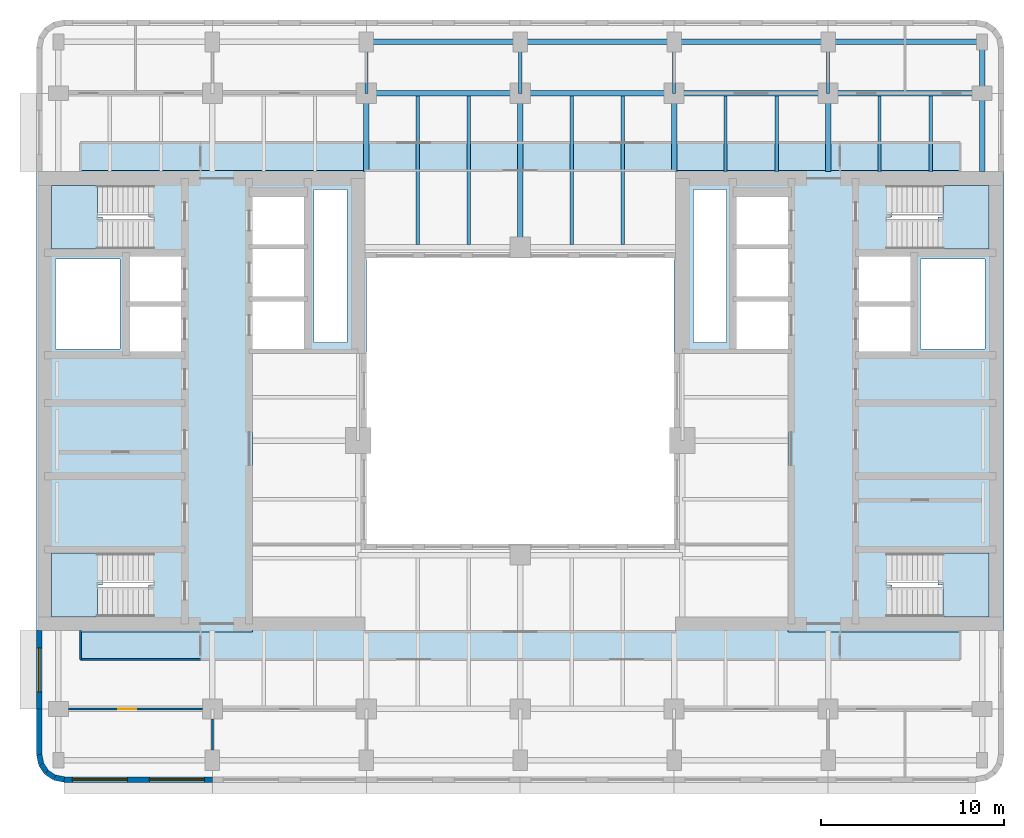
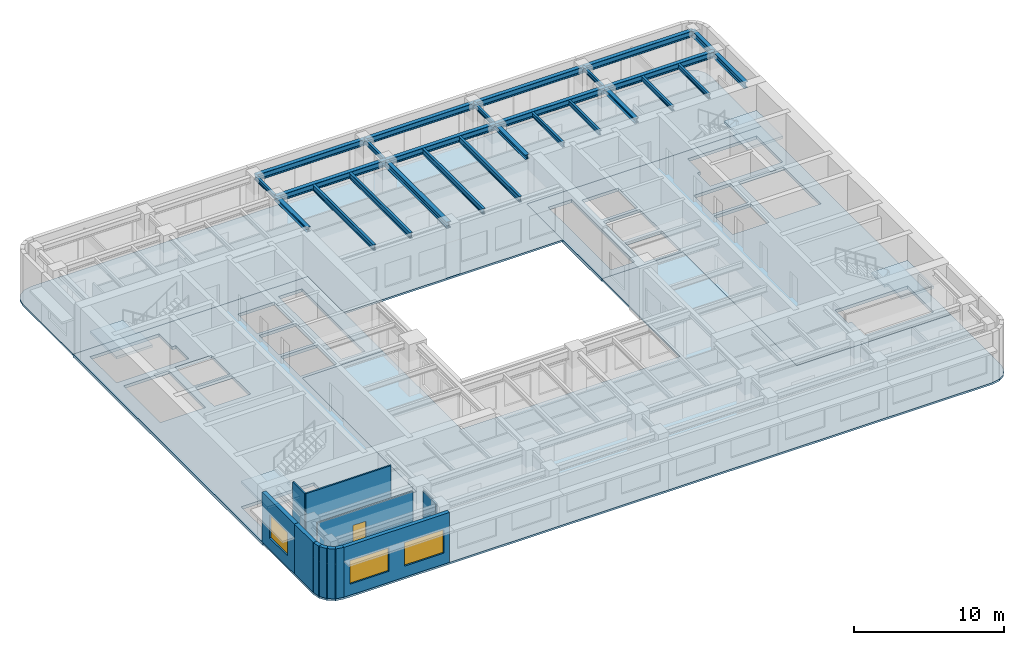
# One storey, part 2 of 11: 26 beams, 11 walls, 8 slabs, 3 windows, 1 door, 4 openings, 4 elements without a shape of their own.
"""IFC4 building model written with IfcOpenShell, lengths in metres."""

from ifc_helpers import new_model, si_unit, direction, frame, frame_2d, origin, origin_2d, place, context, subcontext, project, spatial, polyline, rectangle, i_section, outline, extrude, material, layer, layer_set, material_profile, profile_set, type_object, element, fill, aggregate, save


model = new_model("IFC4")

# Units and contexts
model_context = context("Model", 3, precision=1e-05, world=origin(), true_north=direction((0.0, 1.0)))
body_context = subcontext(model_context, "Body", "Model", "MODEL_VIEW")
ifc_project = project(units=[si_unit("LENGTHUNIT", "METRE"), si_unit("AREAUNIT", "SQUARE_METRE"), si_unit("VOLUMEUNIT", "CUBIC_METRE"), si_unit("PLANEANGLEUNIT", "RADIAN"), si_unit("MASSUNIT", "GRAM", prefix="KILO")], contexts=[model_context])

# Site, building, storey
site_placement = place(None, origin())
site = spatial("IfcSite", under=ifc_project, at=site_placement, CompositionType="ELEMENT")
building_placement = place(site_placement, origin())
building = spatial("IfcBuilding", under=site, at=building_placement, Name="Claustro Exchange Tower", CompositionType="ELEMENT")
storey_placement = place(building_placement, frame((0.0, 0.0, 181.800048828125)))
storey = spatial("IfcBuildingStorey", under=building, at=storey_placement, Name="L41", CompositionType="ELEMENT", Elevation=181.800048828125)

# Beams
ifc_material_1 = material(Name="Steel S355", Category="steel")
ifc_material_profile_1 = material_profile(ifc_material_1, i_section(OverallWidth=0.169921875, OverallDepth=0.360107421875, WebThickness=0.008056640625, FlangeThickness=0.0126953125, FilletRadius=0.01806640625, at=origin_2d()), Name="IPE 360")
ifc_profile_set_1 = profile_set([ifc_material_profile_1], Name="Steel S355")
beam_type_1 = type_object("IfcBeamType", Name="B16 IPE 360 short-span beam", PredefinedType="BEAM", material=ifc_profile_set_1)
for number, where, z_axis, x_axis, name in (
    (1, (16.800048828125, 42.0, 3.869873046875), (0.0, 1.0, 0.0), (-1.0, 0.0, 0.0), "Beam B16 L42"),
    (2, (25.199951171875, 42.0, 3.869873046875), (0.0, 1.0, 0.0), (-1.0, 0.0, 0.0), "Beam B16 L42"),
    (3, (33.60009765625, 42.0, 3.869873046875), (0.0, 1.0, 0.0), (-1.0, 0.0, 0.0), "Beam B16 L42"),
    (4, (42.0, 42.0, 3.869873046875), (0.0, 1.0, 0.0), (-1.0, 0.0, 0.0), "Beam B16 L42"),
):
    element("IfcBeam", number, at=place(storey_placement, frame(where, z_axis=z_axis, x_axis=x_axis)), inside=storey, type_object=beam_type_1, Name=name, PredefinedType="BEAM", context=body_context, shape_type="SweptSolid", body=[
        extrude(i_section(OverallWidth=0.169921875, OverallDepth=0.360107421875, WebThickness=0.008056640625, FlangeThickness=0.0126953125, FilletRadius=0.01806640625, at=origin_2d()), origin(), (0.0, 0.0, 1.0), 2.800048828125),
    ])
for number, where, z_axis, x_axis, name in (
    (5, (36.39990234375, 37.72509765625, 3.869873046875), (0.0, 1.0, 0.0), (-1.0, 0.0, 0.0), "Beam B16 L42"),
    (6, (39.199951171875, 37.72509765625, 3.869873046875), (0.0, 1.0, 0.0), (-1.0, 0.0, 0.0), "Beam B16 L42"),
    (7, (44.800048828125, 37.72509765625, 3.869873046875), (0.0, 1.0, 0.0), (-1.0, 0.0, 0.0), "Beam B16 L42"),
    (8, (47.60009765625, 37.72509765625, 3.869873046875), (0.0, 1.0, 0.0), (-1.0, 0.0, 0.0), "Beam B16 L42"),
):
    element("IfcBeam", number, at=place(storey_placement, frame(where, z_axis=z_axis, x_axis=x_axis)), inside=storey, type_object=beam_type_1, Name=name, PredefinedType="BEAM", context=body_context, shape_type="SweptSolid", body=[
        extrude(i_section(OverallWidth=0.169921875, OverallDepth=0.360107421875, WebThickness=0.008056640625, FlangeThickness=0.0126953125, FilletRadius=0.01806640625, at=origin_2d()), origin(), (0.0, 0.0, 1.0), 4.125),
    ])
ifc_material_2 = material(Name="Steel S355", Category="steel")
ifc_material_profile_2 = material_profile(ifc_material_2, i_section(OverallWidth=0.300048828125, OverallDepth=0.360107421875, WebThickness=0.012451171875, FlangeThickness=0.0224609375, FilletRadius=0.027099609375, at=origin_2d()), Name="HE 360 B")
ifc_profile_set_2 = profile_set([ifc_material_profile_2], Name="Steel S355")
beam_type_2 = type_object("IfcBeamType", Name="B29 HE 360 B column to core link beam", PredefinedType="BEAM", material=ifc_profile_set_2)
for number, where, z_axis, x_axis, name in (
    (9, (16.800048828125, 37.72509765625, 3.869873046875), (0.0, 1.0, 0.0), (-1.0, 0.0, 0.0), "Beam B29 L42"),
    (10, (33.60009765625, 37.72509765625, 3.869873046875), (0.0, 1.0, 0.0), (-1.0, 0.0, 0.0), "Beam B29 L42"),
    (11, (42.0, 37.72509765625, 3.869873046875), (0.0, 1.0, 0.0), (-1.0, 0.0, 0.0), "Beam B29 L42"),
):
    element("IfcBeam", number, at=place(storey_placement, frame(where, z_axis=z_axis, x_axis=x_axis)), inside=storey, type_object=beam_type_2, Name=name, PredefinedType="BEAM", context=body_context, shape_type="SweptSolid", body=[
        extrude(i_section(OverallWidth=0.300048828125, OverallDepth=0.360107421875, WebThickness=0.012451171875, FlangeThickness=0.0224609375, FilletRadius=0.027099609375, at=origin_2d()), origin(), (0.0, 0.0, 1.0), 4.27490234375),
    ])
ifc_material_3 = material(Name="Steel S355", Category="steel")
ifc_material_profile_3 = material_profile(ifc_material_3, i_section(OverallWidth=0.300048828125, OverallDepth=0.5, WebThickness=0.014404296875, FlangeThickness=0.028076171875, FilletRadius=0.027099609375, at=origin_2d()), Name="HE 500 B")
ifc_profile_set_3 = profile_set([ifc_material_profile_3], Name="Steel S355")
beam_type_3 = type_object("IfcBeamType", Name="B7 HE 500 B floor girder", PredefinedType="BEAM", material=ifc_profile_set_3)
for number, where, z_axis, x_axis, name in (
    (12, (25.199951171875, 33.60009765625, 3.800048828125), (0.0, 1.0, 0.0), (-1.0, 0.0, 0.0), "Beam B7 L42"),
    (13, (16.800048828125, 42.0, 3.800048828125), (1.0, 0.0, 0.0), (0.0, 1.0, 0.0), "Beam B7 L42"),
):
    element("IfcBeam", number, at=place(storey_placement, frame(where, z_axis=z_axis, x_axis=x_axis)), inside=storey, type_object=beam_type_3, Name=name, PredefinedType="BEAM", context=body_context, shape_type="SweptSolid", body=[
        extrude(i_section(OverallWidth=0.300048828125, OverallDepth=0.5, WebThickness=0.014404296875, FlangeThickness=0.028076171875, FilletRadius=0.027099609375, at=origin_2d()), origin(), (0.0, 0.0, 1.0), 8.39990234375),
    ])
beam_1_placement = place(storey_placement, frame((25.199951171875, 42.0, 3.800048828125), z_axis=(1.0, 0.0, 0.0), x_axis=(0.0, 1.0, 0.0)))
element("IfcBeam", 14, at=beam_1_placement, inside=storey, type_object=beam_type_3, Name="Beam B7 L42", PredefinedType="BEAM", context=body_context, shape_type="SweptSolid", body=[
    extrude(i_section(OverallWidth=0.300048828125, OverallDepth=0.5, WebThickness=0.014404296875, FlangeThickness=0.028076171875, FilletRadius=0.027099609375, at=origin_2d()), origin(), (0.0, 0.0, 1.0), 8.400146484375),
])
for number, where, z_axis, x_axis, name in (
    (15, (33.60009765625, 42.0, 3.800048828125), (1.0, 0.0, 0.0), (0.0, 1.0, 0.0), "Beam B7 L42"),
    (16, (42.0, 42.0, 3.800048828125), (1.0, 0.0, 0.0), (0.0, 1.0, 0.0), "Beam B7 L42"),
):
    element("IfcBeam", number, at=place(storey_placement, frame(where, z_axis=z_axis, x_axis=x_axis)), inside=storey, type_object=beam_type_3, Name=name, PredefinedType="BEAM", context=body_context, shape_type="SweptSolid", body=[
        extrude(i_section(OverallWidth=0.300048828125, OverallDepth=0.5, WebThickness=0.014404296875, FlangeThickness=0.028076171875, FilletRadius=0.027099609375, at=origin_2d()), origin(), (0.0, 0.0, 1.0), 8.39990234375),
    ])
ifc_material_4 = material(Name="Steel S355", Category="steel")
ifc_material_profile_4 = material_profile(ifc_material_4, i_section(OverallWidth=0.18994140625, OverallDepth=0.449951171875, WebThickness=0.009521484375, FlangeThickness=0.0146484375, FilletRadius=0.02099609375, at=origin_2d()), Name="IPE 450")
ifc_profile_set_4 = profile_set([ifc_material_profile_4], Name="Steel S355")
beam_type_4 = type_object("IfcBeamType", Name="B8 IPE 450 secondary beam", PredefinedType="BEAM", material=ifc_profile_set_4)
for number, where, z_axis, x_axis, name in (
    (17, (19.60009765625, 33.75, 3.824951171875), (0.0, 1.0, 0.0), (-1.0, 0.0, 0.0), "Beam B8 L42"),
    (18, (22.39990234375, 33.75, 3.824951171875), (0.0, 1.0, 0.0), (-1.0, 0.0, 0.0), "Beam B8 L42"),
    (19, (28.0, 33.75, 3.824951171875), (0.0, 1.0, 0.0), (-1.0, 0.0, 0.0), "Beam B8 L42"),
    (20, (30.800048828125, 33.75, 3.824951171875), (0.0, 1.0, 0.0), (-1.0, 0.0, 0.0), "Beam B8 L42"),
):
    element("IfcBeam", number, at=place(storey_placement, frame(where, z_axis=z_axis, x_axis=x_axis)), inside=storey, type_object=beam_type_4, Name=name, PredefinedType="BEAM", context=body_context, shape_type="SweptSolid", body=[
        extrude(i_section(OverallWidth=0.18994140625, OverallDepth=0.449951171875, WebThickness=0.009521484375, FlangeThickness=0.0146484375, FilletRadius=0.02099609375, at=origin_2d()), origin(), (0.0, 0.0, 1.0), 8.10009765625),
    ])
ifc_material_5 = material(Name="Steel S355", Category="steel")
ifc_material_profile_5 = material_profile(ifc_material_5, i_section(OverallWidth=0.300048828125, OverallDepth=0.489990234375, WebThickness=0.011962890625, FlangeThickness=0.02294921875, FilletRadius=0.027099609375, at=origin_2d()), Name="HE 500 A")
ifc_profile_set_5 = profile_set([ifc_material_profile_5], Name="Steel S355")
beam_type_5 = type_object("IfcBeamType", Name="B9 HE 500 A spandrel edge girder", PredefinedType="SPANDREL", material=ifc_profile_set_5)
beam_2_placement = place(storey_placement, frame((50.39990234375, 37.72509765625, 3.804931640625), z_axis=(0.0, 1.0, 0.0), x_axis=(-1.0, 0.0, 0.0)))
element("IfcBeam", 21, at=beam_2_placement, inside=storey, type_object=beam_type_5, Name="Beam B9 L42", PredefinedType="SPANDREL", context=body_context, shape_type="SweptSolid", body=[
    extrude(i_section(OverallWidth=0.300048828125, OverallDepth=0.489990234375, WebThickness=0.011962890625, FlangeThickness=0.02294921875, FilletRadius=0.027099609375, at=origin_2d()), origin(), (0.0, 0.0, 1.0), 4.27490234375),
])
beam_3_placement = place(storey_placement, frame((50.39990234375, 42.0, 3.804931640625), z_axis=(0.0, 1.0, 0.0), x_axis=(-1.0, 0.0, 0.0)))
element("IfcBeam", 22, at=beam_3_placement, inside=storey, type_object=beam_type_5, Name="Beam B9 L42", PredefinedType="SPANDREL", context=body_context, shape_type="SweptSolid", body=[
    extrude(i_section(OverallWidth=0.300048828125, OverallDepth=0.489990234375, WebThickness=0.011962890625, FlangeThickness=0.02294921875, FilletRadius=0.027099609375, at=origin_2d()), origin(), (0.0, 0.0, 1.0), 2.800048828125),
])
beam_4_placement = place(storey_placement, frame((16.800048828125, 44.800048828125, 3.804931640625), z_axis=(1.0, 0.0, 0.0), x_axis=(0.0, 1.0, 0.0)))
element("IfcBeam", 23, at=beam_4_placement, inside=storey, type_object=beam_type_5, Name="Beam B9 L42", PredefinedType="SPANDREL", context=body_context, shape_type="SweptSolid", body=[
    extrude(i_section(OverallWidth=0.300048828125, OverallDepth=0.489990234375, WebThickness=0.011962890625, FlangeThickness=0.02294921875, FilletRadius=0.027099609375, at=origin_2d()), origin(), (0.0, 0.0, 1.0), 8.39990234375),
])
beam_5_placement = place(storey_placement, frame((25.199951171875, 44.800048828125, 3.804931640625), z_axis=(1.0, 0.0, 0.0), x_axis=(0.0, 1.0, 0.0)))
element("IfcBeam", 24, at=beam_5_placement, inside=storey, type_object=beam_type_5, Name="Beam B9 L42", PredefinedType="SPANDREL", context=body_context, shape_type="SweptSolid", body=[
    extrude(i_section(OverallWidth=0.300048828125, OverallDepth=0.489990234375, WebThickness=0.011962890625, FlangeThickness=0.02294921875, FilletRadius=0.027099609375, at=origin_2d()), origin(), (0.0, 0.0, 1.0), 8.400146484375),
])
for number, where, z_axis, x_axis, name in (
    (25, (33.60009765625, 44.800048828125, 3.804931640625), (1.0, 0.0, 0.0), (0.0, 1.0, 0.0), "Beam B9 L42"),
    (26, (42.0, 44.800048828125, 3.804931640625), (1.0, 0.0, 0.0), (0.0, 1.0, 0.0), "Beam B9 L42"),
):
    element("IfcBeam", number, at=place(storey_placement, frame(where, z_axis=z_axis, x_axis=x_axis)), inside=storey, type_object=beam_type_5, Name=name, PredefinedType="SPANDREL", context=body_context, shape_type="SweptSolid", body=[
        extrude(i_section(OverallWidth=0.300048828125, OverallDepth=0.489990234375, WebThickness=0.011962890625, FlangeThickness=0.02294921875, FilletRadius=0.027099609375, at=origin_2d()), origin(), (0.0, 0.0, 1.0), 8.39990234375),
    ])

# Slabs
ifc_material_6 = material(Name="Concrete HA-50 (C50/60)", Category="concrete")
ifc_layer_1 = layer(ifc_material_6, 0.14990234375)
ifc_layer_set_1 = layer_set([ifc_layer_1], Name="Concrete HA-50 (C50/60)")
slab_type_1 = type_object("IfcSlabType", Name="S2 150 composite floor slab", PredefinedType="FLOOR", material=ifc_layer_set_1)
slab_1_placement = place(storey_placement, frame((0.0, 0.0, -0.150146484375)))
element("IfcSlab", 27, at=slab_1_placement, inside=storey, type_object=slab_type_1, Name="Floor slab S2 S L41", PredefinedType="FLOOR", context=body_context, shape_type="SweptSolid", body=[
    extrude(outline(polyline([(-0.27392578125, 4.51416015625), (0.300048828125, 4.39990234375), (50.10009765625, 4.39990234375), (50.674072265625, 4.51416015625), (51.16064453125, 4.83935546875), (51.48583984375, 5.325927734375), (51.60009765625, 5.89990234375), (51.60009765625, 12.60009765625), (39.800048828125, 12.60009765625), (39.800048828125, 27.800048828125), (33.60009765625, 27.800048828125), (33.60009765625, 17.39990234375), (16.800048828125, 17.39990234375), (16.800048828125, 27.800048828125), (10.60009765625, 27.800048828125), (10.60009765625, 12.60009765625), (-1.199951171875, 12.60009765625), (-1.199951171875, 5.89990234375), (-1.085693359375, 5.325927734375), (-0.7607421875, 4.83935546875), (-0.27392578125, 4.51416015625)])), origin(), (0.0, 0.0, 1.0), 0.150146484375),
])
slab_2_placement = place(storey_placement, frame((0.0, 0.0, -0.150146484375)))
element("IfcSlab", 28, at=slab_2_placement, inside=storey, type_object=slab_type_1, Name="Floor slab S2 N L41", PredefinedType="FLOOR", context=body_context, shape_type="SweptSolid", body=[
    extrude(outline(polyline([(16.800048828125, 37.800048828125), (16.800048828125, 33.0), (33.60009765625, 33.0), (33.60009765625, 37.800048828125), (51.60009765625, 37.800048828125), (51.60009765625, 44.5), (51.48583984375, 45.073974609375), (51.16064453125, 45.560791015625), (50.674072265625, 45.8857421875), (50.10009765625, 46.0), (0.300048828125, 46.0), (-0.27392578125, 45.8857421875), (-0.7607421875, 45.560791015625), (-1.085693359375, 45.073974609375), (-1.199951171875, 44.5), (-1.199951171875, 37.800048828125), (16.800048828125, 37.800048828125)])), origin(), (0.0, 0.0, 1.0), 0.150146484375),
])
ifc_material_7 = material(Name="Concrete HA-50 (C50/60)", Category="concrete")
ifc_layer_2 = layer(ifc_material_7, 0.25)
ifc_layer_set_2 = layer_set([ifc_layer_2], Name="Concrete HA-50 (C50/60)")
slab_type_2 = type_object("IfcSlabType", Name="S7 250 core floor slab", PredefinedType="FLOOR", material=ifc_layer_set_2)
slab_3_placement = place(storey_placement, frame((0.0, 0.0, -0.25)))
element("IfcSlab", 29, at=slab_3_placement, inside=storey, type_object=slab_type_2, Name="Core floor slab S7 W core L41", PredefinedType="FLOOR", context=body_context, shape_type="SweptSolid", body=[
    extrude(outline(polyline([(-1.199951171875, 37.800048828125), (-1.199951171875, 12.60009765625), (10.60009765625, 12.60009765625), (10.60009765625, 27.800048828125), (16.800048828125, 27.800048828125), (16.800048828125, 37.800048828125), (-1.199951171875, 37.800048828125)]), holes=[polyline([(13.949951171875, 36.75), (15.75, 36.75), (15.75, 28.39990234375), (13.949951171875, 28.39990234375), (13.949951171875, 36.75)]), polyline([(10.60009765625, 30.64990234375), (13.39990234375, 30.64990234375), (13.39990234375, 28.050048828125), (10.60009765625, 28.050048828125), (10.60009765625, 30.64990234375)]), polyline([(10.60009765625, 33.5), (13.39990234375, 33.5), (13.39990234375, 30.89990234375), (10.60009765625, 30.89990234375), (10.60009765625, 33.5)]), polyline([(13.39990234375, 36.35009765625), (13.39990234375, 33.75), (10.60009765625, 33.75), (10.60009765625, 36.35009765625), (13.39990234375, 36.35009765625)]), polyline([(3.89990234375, 30.375), (6.699951171875, 30.375), (6.699951171875, 27.89990234375), (3.89990234375, 27.89990234375), (3.89990234375, 30.375)]), polyline([(3.89990234375, 33.10009765625), (6.699951171875, 33.10009765625), (6.699951171875, 30.625), (3.89990234375, 30.625), (3.89990234375, 33.10009765625)]), polyline([(-0.375, 15.16259765625), (-0.375, 16.89990234375), (5.195068359375, 16.89990234375), (5.195068359375, 15.16259765625), (4.919921875, 15.16259765625), (4.919921875, 13.425048828125), (-0.375, 13.425048828125), (-0.375, 15.16259765625)]), polyline([(-0.375, 35.237548828125), (-0.375, 36.97509765625), (4.919921875, 36.97509765625), (4.919921875, 35.237548828125), (5.195068359375, 35.237548828125), (5.195068359375, 33.5), (-0.375, 33.5), (-0.375, 35.237548828125)]), polyline([(-0.14990234375, 32.949951171875), (3.35009765625, 32.949951171875), (3.35009765625, 28.050048828125), (-0.14990234375, 28.050048828125), (-0.14990234375, 32.949951171875)])]), origin(), (0.0, 0.0, 1.0), 0.25),
])
slab_4_placement = place(storey_placement, frame((0.0, 0.0, -0.25)))
element("IfcSlab", 30, at=slab_4_placement, inside=storey, type_object=slab_type_2, Name="Core floor slab S7 E core L41", PredefinedType="FLOOR", context=body_context, shape_type="SweptSolid", body=[
    extrude(outline(polyline([(51.60009765625, 37.800048828125), (33.60009765625, 37.800048828125), (33.60009765625, 27.800048828125), (39.800048828125, 27.800048828125), (39.800048828125, 12.60009765625), (51.60009765625, 12.60009765625), (51.60009765625, 37.800048828125)]), holes=[polyline([(45.47998046875, 15.16259765625), (45.205078125, 15.16259765625), (45.205078125, 16.89990234375), (50.77490234375, 16.89990234375), (50.77490234375, 15.16259765625), (50.77490234375, 13.425048828125), (45.47998046875, 13.425048828125), (45.47998046875, 15.16259765625)]), polyline([(45.47998046875, 35.237548828125), (45.47998046875, 36.97509765625), (50.77490234375, 36.97509765625), (50.77490234375, 35.237548828125), (50.77490234375, 33.5), (45.205078125, 33.5), (45.205078125, 35.237548828125), (45.47998046875, 35.237548828125)]), polyline([(47.050048828125, 32.949951171875), (50.550048828125, 32.949951171875), (50.550048828125, 28.050048828125), (47.050048828125, 28.050048828125), (47.050048828125, 32.949951171875)]), polyline([(43.699951171875, 30.375), (46.5, 30.375), (46.5, 27.89990234375), (43.699951171875, 27.89990234375), (43.699951171875, 30.375)]), polyline([(43.699951171875, 33.10009765625), (46.5, 33.10009765625), (46.5, 30.625), (43.699951171875, 30.625), (43.699951171875, 33.10009765625)]), polyline([(37.0, 30.64990234375), (39.800048828125, 30.64990234375), (39.800048828125, 28.050048828125), (37.0, 28.050048828125), (37.0, 30.64990234375)]), polyline([(37.0, 33.5), (39.800048828125, 33.5), (39.800048828125, 30.89990234375), (37.0, 30.89990234375), (37.0, 33.5)]), polyline([(39.800048828125, 36.35009765625), (39.800048828125, 33.75), (37.0, 33.75), (37.0, 36.35009765625), (39.800048828125, 36.35009765625)]), polyline([(34.64990234375, 36.75), (36.449951171875, 36.75), (36.449951171875, 28.39990234375), (34.64990234375, 28.39990234375), (34.64990234375, 36.75)])]), origin(), (0.0, 0.0, 1.0), 0.25),
])

# Stair, slab
ifc_material_8 = material(Name="Concrete HA-30 (C30/37), precast", Category="concrete")
stair_type = type_object("IfcStairType", Name="ST1 half-turn stair, 24 risers of 175", PredefinedType="HALF_TURN_STAIR", material=ifc_material_8)
stair_1_placement = place(storey_placement, origin())
stair_1 = element("IfcStair", 31, at=stair_1_placement, inside=storey, type_object=stair_type, Name="Stair STWA L41", PredefinedType="HALF_TURN_STAIR")
ifc_material_9 = material(Name="Concrete HA-30 (C30/37), precast", Category="concrete")
ifc_layer_3 = layer(ifc_material_9, 0.199951171875)
ifc_layer_set_3 = layer_set([ifc_layer_3], Name="Concrete HA-30 (C30/37), precast")
slab_type_3 = type_object("IfcSlabType", Name="S9 200 stair landing", PredefinedType="LANDING", material=ifc_layer_set_3)
slab_5_placement = place(storey_placement, frame((0.0, 0.0, 1.89990234375)))
slab_5 = element("IfcSlab", 32, at=slab_5_placement, type_object=slab_type_3, Name="STWA landing 1", PredefinedType="LANDING", context=body_context, shape_type="SweptSolid", body=[
    extrude(outline(polyline([(2.125, 13.425048828125), (-0.375, 13.425048828125), (-0.375, 16.89990234375), (2.1201171875, 16.89990234375), (2.125, 16.89990234375), (2.39990234375, 16.89990234375), (2.39990234375, 15.16259765625), (2.125, 15.16259765625), (2.125, 13.425048828125)])), origin(), (0.0, 0.0, 1.0), 0.199951171875),
])
aggregate(stair_1, [slab_5])

stair_2_placement = place(storey_placement, origin())
stair_2 = element("IfcStair", 33, at=stair_2_placement, inside=storey, type_object=stair_type, Name="Stair STWB L41", PredefinedType="HALF_TURN_STAIR")
slab_6_placement = place(storey_placement, frame((0.0, 0.0, 1.89990234375)))
slab_6 = element("IfcSlab", 34, at=slab_6_placement, type_object=slab_type_3, Name="STWB landing 1", PredefinedType="LANDING", context=body_context, shape_type="SweptSolid", body=[
    extrude(outline(polyline([(2.39990234375, 35.237548828125), (2.39990234375, 33.5), (2.125, 33.5), (2.1201171875, 33.5), (-0.375, 33.5), (-0.375, 36.97509765625), (2.125, 36.97509765625), (2.125, 35.237548828125), (2.39990234375, 35.237548828125)])), origin(), (0.0, 0.0, 1.0), 0.199951171875),
])
aggregate(stair_2, [slab_6])

stair_3_placement = place(storey_placement, origin())
stair_3 = element("IfcStair", 35, at=stair_3_placement, inside=storey, type_object=stair_type, Name="Stair STEA L41", PredefinedType="HALF_TURN_STAIR")
slab_7_placement = place(storey_placement, frame((0.0, 0.0, 1.89990234375)))
slab_7 = element("IfcSlab", 36, at=slab_7_placement, type_object=slab_type_3, Name="STEA landing 1", PredefinedType="LANDING", context=body_context, shape_type="SweptSolid", body=[
    extrude(outline(polyline([(50.77490234375, 16.89990234375), (50.77490234375, 13.425048828125), (48.27490234375, 13.425048828125), (48.27490234375, 15.16259765625), (48.0, 15.16259765625), (48.0, 16.89990234375), (48.27490234375, 16.89990234375), (48.280029296875, 16.89990234375), (50.77490234375, 16.89990234375)])), origin(), (0.0, 0.0, 1.0), 0.199951171875),
])
aggregate(stair_3, [slab_7])

stair_4_placement = place(storey_placement, origin())
stair_4 = element("IfcStair", 37, at=stair_4_placement, inside=storey, type_object=stair_type, Name="Stair STEB L41", PredefinedType="HALF_TURN_STAIR")
slab_8_placement = place(storey_placement, frame((0.0, 0.0, 1.89990234375)))
slab_8 = element("IfcSlab", 38, at=slab_8_placement, type_object=slab_type_3, Name="STEB landing 1", PredefinedType="LANDING", context=body_context, shape_type="SweptSolid", body=[
    extrude(outline(polyline([(48.0, 33.5), (48.0, 35.237548828125), (48.27490234375, 35.237548828125), (48.27490234375, 36.97509765625), (50.77490234375, 36.97509765625), (50.77490234375, 33.5), (48.280029296875, 33.5), (48.27490234375, 33.5), (48.0, 33.5)])), origin(), (0.0, 0.0, 1.0), 0.199951171875),
])
aggregate(stair_4, [slab_8])

# Wall, opening, door
ifc_material_10 = material(Name="Laminated glass in aluminium frame", Category="aluminium")
ifc_layer_4 = layer(ifc_material_10, 0.1201171875)
ifc_layer_set_4 = layer_set([ifc_layer_4], Name="Laminated glass in aluminium frame")
wall_type_1 = type_object("IfcWallType", Name="P2 120 glazed partition", PredefinedType="PARTITIONING", material=ifc_layer_set_4)
wall_1_placement = place(storey_placement, frame((0.549072265625, 8.39990234375, 0.0), z_axis=(0.0, 0.0, 1.0), x_axis=(1.0, 0.0, 0.0)))
wall_1 = element("IfcWall", 39, at=wall_1_placement, inside=storey, type_object=wall_type_1, Name="Partition P2 L41", PredefinedType="PARTITIONING", context=body_context, shape_type="SweptSolid", body=[
    extrude(rectangle(XDim=7.302001953125, YDim=0.1201171875, at=frame_2d((3.65087890625, 0.0))), origin(), (0.0, 0.0, 1.0), 3.550048828125),
])
opening_1_placement = place(wall_1_placement, frame((2.700927734375, 0.0, 0.0)))
opening_1 = element("IfcOpeningElement", 40, at=opening_1_placement, cuts=wall_1, Name="Opening D7", PredefinedType="OPENING", context=body_context, shape_type="SweptSolid", body=[
    extrude(rectangle(XDim=1.0, YDim=2.39990234375, at=frame_2d((0.5, 1.199951171875))), frame((0.0, 0.070068359375, 0.0), z_axis=(0.0, -1.0, 0.0), x_axis=(1.0, 0.0, 0.0)), (0.0, 0.0, 1.0), 0.14013671875),
])
ifc_material_11 = material(Name="Glass door in aluminium frame", Category="aluminium")
door_type = type_object("IfcDoorType", Name="D7 1000 x 2400 glazed door", OperationType="SINGLE_SWING_LEFT", PredefinedType="DOOR", material=ifc_material_11)
door_placement = place(opening_1_placement, frame((1.0, 0.0, 0.0), z_axis=(0.0, 0.0, 1.0), x_axis=(-1.0, 0.0, 0.0)))
door = element("IfcDoor", 41, at=door_placement, inside=storey, type_object=door_type, Name="Door D7 L41", OperationType="SINGLE_SWING_LEFT", OverallHeight=2.39990234375, OverallWidth=1.0, PredefinedType="DOOR", context=body_context, shape_type="SweptSolid", body=[
    extrude(rectangle(XDim=1.0, YDim=2.39990234375, at=frame_2d((0.5, 1.199951171875))), frame((0.0, 0.02490234375, 0.0), z_axis=(0.0, -1.0, 0.0), x_axis=(1.0, 0.0, 0.0)), (0.0, 0.0, 1.0), 0.050048828125),
])
fill(opening_1, door)

# Walls
wall_2_placement = place(storey_placement, frame((8.39990234375, 6.14892578125, 0.0), z_axis=(0.0, 0.0, 1.0), x_axis=(0.0, 1.0, 0.0)))
element("IfcWall", 42, at=wall_2_placement, inside=storey, type_object=wall_type_1, Name="Partition P2 L41", PredefinedType="PARTITIONING", context=body_context, shape_type="SweptSolid", body=[
    extrude(rectangle(XDim=1.7021484375, YDim=0.1201171875, at=frame_2d((0.85107421875, 0.0))), origin(), (0.0, 0.0, 1.0), 3.68994140625),
])
wall_3_placement = place(storey_placement, frame((1.199951171875, 11.10009765625, 0.0), z_axis=(0.0, 0.0, 1.0), x_axis=(1.0, 0.0, 0.0)))
element("IfcWall", 43, at=wall_3_placement, inside=storey, type_object=wall_type_1, Name="Partition P2 L41", PredefinedType="PARTITIONING", context=body_context, shape_type="SweptSolid", body=[
    extrude(rectangle(XDim=6.552001953125, YDim=0.1201171875, at=frame_2d((3.27587890625, 0.0))), origin(), (0.0, 0.0, 1.0), 4.050048828125),
])
wall_4_placement = place(storey_placement, frame((1.199951171875, 11.10009765625, 0.0), z_axis=(0.0, 0.0, 1.0), x_axis=(0.0, 1.0, 0.0)))
element("IfcWall", 44, at=wall_4_placement, inside=storey, type_object=wall_type_1, Name="Partition P2 L41", PredefinedType="PARTITIONING", context=body_context, shape_type="SweptSolid", body=[
    extrude(rectangle(XDim=1.575927734375, YDim=0.1201171875, at=frame_2d((0.7880859375, 0.0))), origin(), (0.0, 0.0, 1.0), 4.050048828125),
])

# Wall, openings, windows
ifc_material_12 = material(Name="Concrete HA-40 (C40/50), precast, white cement, acid-etched", Category="concrete")
ifc_layer_5 = layer(ifc_material_12, 0.300048828125)
ifc_layer_set_5 = layer_set([ifc_layer_5], Name="Concrete HA-40 (C40/50), precast, white cement, acid-etched")
wall_type_2 = type_object("IfcWallType", Name="PC1 300 precast concrete pier panel", PredefinedType="SOLIDWALL", material=ifc_layer_set_5)
wall_5_placement = place(storey_placement, frame((8.39990234375, 4.550048828125, 0.0), z_axis=(0.0, 0.0, 1.0), x_axis=(-1.0, 0.0, 0.0)))
wall_5 = element("IfcWall", 45, at=wall_5_placement, inside=storey, type_object=wall_type_2, Name="Precast pier panel PC1 L41", PredefinedType="SOLIDWALL", context=body_context, shape_type="SweptSolid", body=[
    extrude(rectangle(XDim=8.085205078125, YDim=0.300048828125, at=frame_2d((4.04248046875, 0.0))), origin(), (0.0, 0.0, 1.0), 4.050048828125),
])
opening_2_placement = place(wall_5_placement, frame((0.442626953125, 0.0, 0.89990234375)))
opening_2 = element("IfcOpeningElement", 46, at=opening_2_placement, cuts=wall_5, Name="Opening W1", PredefinedType="OPENING", context=body_context, shape_type="SweptSolid", body=[
    extrude(rectangle(XDim=3.0, YDim=1.89990234375, at=frame_2d((1.5, 0.949951171875))), frame((0.0, 0.159912109375, 0.0), z_axis=(0.0, -1.0, 0.0), x_axis=(1.0, 0.0, 0.0)), (0.0, 0.0, 1.0), 0.320068359375),
])
opening_3_placement = place(wall_5_placement, frame((4.642578125, 0.0, 0.89990234375)))
opening_3 = element("IfcOpeningElement", 47, at=opening_3_placement, cuts=wall_5, Name="Opening W1", PredefinedType="OPENING", context=body_context, shape_type="SweptSolid", body=[
    extrude(rectangle(XDim=3.0, YDim=1.89990234375, at=frame_2d((1.5, 0.949951171875))), frame((0.0, 0.159912109375, 0.0), z_axis=(0.0, -1.0, 0.0), x_axis=(1.0, 0.0, 0.0)), (0.0, 0.0, 1.0), 0.320068359375),
])
ifc_material_13 = material(Name="Aluminium frame, clear double glazing", Category="aluminium")
window_type_1 = type_object("IfcWindowType", Name="W1 3000 x 1900 window", PartitioningType="SINGLE_PANEL", PredefinedType="WINDOW", material=ifc_material_13)
window_1_placement = place(opening_2_placement, origin())
window_1 = element("IfcWindow", 48, at=window_1_placement, inside=storey, type_object=window_type_1, Name="Window W1 L41", OverallHeight=1.89990234375, OverallWidth=3.0, PartitioningType="SINGLE_PANEL", PredefinedType="WINDOW", context=body_context, shape_type="SweptSolid", body=[
    extrude(rectangle(XDim=3.0, YDim=1.89990234375, at=frame_2d((1.5, 0.949951171875))), frame((0.0, 0.030029296875, 0.0), z_axis=(0.0, -1.0, 0.0), x_axis=(1.0, 0.0, 0.0)), (0.0, 0.0, 1.0), 0.06005859375),
])
fill(opening_2, window_1)
window_2_placement = place(opening_3_placement, origin())
window_2 = element("IfcWindow", 49, at=window_2_placement, inside=storey, type_object=window_type_1, Name="Window W1 L41", OverallHeight=1.89990234375, OverallWidth=3.0, PartitioningType="SINGLE_PANEL", PredefinedType="WINDOW", context=body_context, shape_type="SweptSolid", body=[
    extrude(rectangle(XDim=3.0, YDim=1.89990234375, at=frame_2d((1.5, 0.949951171875))), frame((0.0, 0.030029296875, 0.0), z_axis=(0.0, -1.0, 0.0), x_axis=(1.0, 0.0, 0.0)), (0.0, 0.0, 1.0), 0.06005859375),
])
fill(opening_3, window_2)

# Walls
wall_6_placement = place(storey_placement, frame((0.314697265625, 4.550048828125, 0.0), z_axis=(0.0, 0.0, 1.0), x_axis=(-0.980788534345, 0.195073962632, 0.0)))
element("IfcWall", 50, at=wall_6_placement, inside=storey, type_object=wall_type_2, Name="Precast pier panel PC1 L41", PredefinedType="SOLIDWALL", context=body_context, shape_type="SweptSolid", body=[
    extrude(rectangle(XDim=0.540771484375, YDim=0.300048828125, at=frame_2d((0.2705078125, 0.0))), origin(), (0.0, 0.0, 1.0), 4.050048828125),
])
for number, where, z_axis, x_axis, name in (
    (51, (-0.215576171875, 4.655517578125, 0.0), (0.0, 0.0, 1.0), (-0.831478144188, 0.555557463938, 0.0), "Precast pier panel PC1 L41"),
    (52, (-0.652587890625, 4.947509765625, 0.0), (0.0, 0.0, 1.0), (-0.555557463938, 0.831478144188, 0.0), "Precast pier panel PC1 L41"),
):
    element("IfcWall", number, at=place(storey_placement, frame(where, z_axis=z_axis, x_axis=x_axis)), inside=storey, type_object=wall_type_2, Name=name, PredefinedType="SOLIDWALL", context=body_context, shape_type="SweptSolid", body=[
        extrude(rectangle(XDim=0.525634765625, YDim=0.300048828125, at=frame_2d((0.2626953125, 0.0))), origin(), (0.0, 0.0, 1.0), 4.050048828125),
    ])
wall_7_placement = place(storey_placement, frame((-0.944580078125, 5.384521484375, 0.0), z_axis=(0.0, 0.0, 1.0), x_axis=(-0.195073962632, 0.980788534345, 0.0)))
element("IfcWall", 53, at=wall_7_placement, inside=storey, type_object=wall_type_2, Name="Precast pier panel PC1 L41", PredefinedType="SOLIDWALL", context=body_context, shape_type="SweptSolid", body=[
    extrude(rectangle(XDim=0.540771484375, YDim=0.300048828125, at=frame_2d((0.2705078125, 0.0))), origin(), (0.0, 0.0, 1.0), 4.050048828125),
])
wall_8_placement = place(storey_placement, frame((-1.050048828125, 5.914794921875, 0.0), z_axis=(0.0, 0.0, 1.0), x_axis=(0.0, 1.0, 0.0)))
element("IfcWall", 54, at=wall_8_placement, inside=storey, type_object=wall_type_2, Name="Precast pier panel PC1 L41", PredefinedType="SOLIDWALL", context=body_context, shape_type="SweptSolid", body=[
    extrude(rectangle(XDim=2.485107421875, YDim=0.300048828125, at=frame_2d((1.24267578125, 0.0))), origin(), (0.0, 0.0, 1.0), 4.050048828125),
])

# Wall, opening, window
wall_9_placement = place(storey_placement, frame((-1.050048828125, 8.39990234375, 0.0), z_axis=(0.0, 0.0, 1.0), x_axis=(0.0, 1.0, 0.0)))
wall_9 = element("IfcWall", 55, at=wall_9_placement, inside=storey, type_object=wall_type_2, Name="Precast pier panel PC1 L41", PredefinedType="SOLIDWALL", context=body_context, shape_type="SweptSolid", body=[
    extrude(rectangle(XDim=4.275146484375, YDim=0.300048828125, at=frame_2d((2.1376953125, 0.0))), origin(), (0.0, 0.0, 1.0), 4.050048828125),
])
opening_4_placement = place(wall_9_placement, frame((0.9375, 0.0, 0.89990234375)))
opening_4 = element("IfcOpeningElement", 56, at=opening_4_placement, cuts=wall_9, Name="Opening W2", PredefinedType="OPENING", context=body_context, shape_type="SweptSolid", body=[
    extrude(rectangle(XDim=2.39990234375, YDim=1.89990234375, at=frame_2d((1.199951171875, 0.949951171875))), frame((0.0, 0.159912109375, 0.0), z_axis=(0.0, -1.0, 0.0), x_axis=(1.0, 0.0, 0.0)), (0.0, 0.0, 1.0), 0.320068359375),
])
ifc_material_14 = material(Name="Aluminium frame, clear double glazing", Category="aluminium")
window_type_2 = type_object("IfcWindowType", Name="W2 2400 x 1900 window", PartitioningType="SINGLE_PANEL", PredefinedType="WINDOW", material=ifc_material_14)
window_3_placement = place(opening_4_placement, origin())
window_3 = element("IfcWindow", 57, at=window_3_placement, inside=storey, type_object=window_type_2, Name="Window W2 L41", OverallHeight=1.89990234375, OverallWidth=2.39990234375, PartitioningType="SINGLE_PANEL", PredefinedType="WINDOW", context=body_context, shape_type="SweptSolid", body=[
    extrude(rectangle(XDim=2.39990234375, YDim=1.89990234375, at=frame_2d((1.199951171875, 0.949951171875))), frame((0.0, 0.030029296875, 0.0), z_axis=(0.0, -1.0, 0.0), x_axis=(1.0, 0.0, 0.0)), (0.0, 0.0, 1.0), 0.06005859375),
])
fill(opening_4, window_3)

save(model, "model.ifc")
